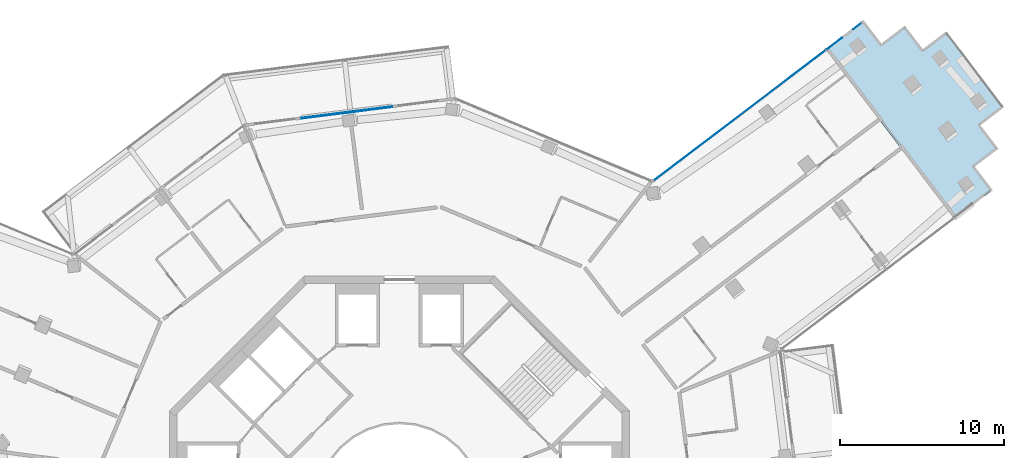
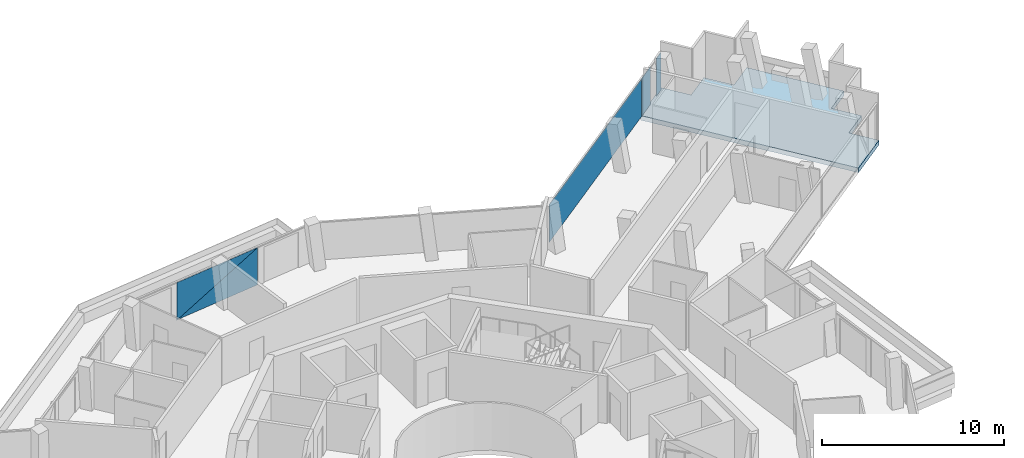
# One storey, part 17 of 26: 5 plates, 1 slab, 2 elements without a shape of their own.
"""IFC4 building model written with IfcOpenShell, lengths in metres."""

import ifcopenshell
import ifcopenshell.guid

model = None  # the IFC model being written
_history = None  # IfcOwnerHistory: only IFC2X3 demands one
_inside = {}  # id of a spatial element -> (the spatial element, [elements in it])
_under = {}  # id of a project, library or spatial element -> (it, [spatial elements below it])
_declared = {}  # id of a project -> (the project, [libraries it declares])
_typed = {}  # id of a type object -> (the type object, [elements of that type])
_made_of = {}  # id of a material, layer set ... -> (it, [elements and type objects made of it])


def new_model(schema):
    """Start an empty IFC model of exactly this schema.

    Asked for "IFC4X3", IfcOpenShell would pick the latest addendum, in which some entities
    have other attributes; the version numbers below select the first issue.
    IFC2X3 requires an IfcOwnerHistory on every rooted entity: one is made here for all.
    """
    global model, _history
    if schema == "IFC4X3":
        model = ifcopenshell.file(schema_version=(4, 3, 0, 0))
    else:
        model = ifcopenshell.file(schema=schema)
    _inside.clear()
    _under.clear()
    _declared.clear()
    _typed.clear()
    _made_of.clear()
    _history = None
    if model.schema == "IFC2X3":
        org = make("IfcOrganization", Name="unknown")
        user = make(
            "IfcPersonAndOrganization",
            ThePerson=make("IfcPerson", FamilyName="unknown"),
            TheOrganization=org,
        )
        app = make(
            "IfcApplication",
            ApplicationDeveloper=org,
            Version="unknown",
            ApplicationFullName="unknown",
            ApplicationIdentifier="unknown",
        )
        _history = make(
            "IfcOwnerHistory",
            OwningUser=user,
            OwningApplication=app,
            ChangeAction="ADDED",
            CreationDate=0,
        )
    return model


def make(cls, **values):
    """One entity of the class cls with the attributes given. An attribute that is None is left unset."""
    return model.create_entity(
        cls, **{name: value for name, value in values.items() if value is not None}
    )


def rooted(cls, **values):
    """An entity with a GlobalId (a new one), such as an element, a storey or a relation."""
    return make(cls, GlobalId=ifcopenshell.guid.new(), OwnerHistory=_history, **values)


def si_unit(unit_type, name, prefix=None):
    """IfcSIUnit, for example si_unit("LENGTHUNIT", "METRE", prefix="MILLI")."""
    return make("IfcSIUnit", UnitType=unit_type, Prefix=prefix, Name=name)


def assignment(units):
    """IfcUnitAssignment: the units of a project."""
    return None if units is None else make("IfcUnitAssignment", Units=units)


def point(xyz):
    """IfcCartesianPoint."""
    return None if xyz is None else make("IfcCartesianPoint", Coordinates=xyz)


def direction(xyz):
    """IfcDirection."""
    return None if xyz is None else make("IfcDirection", DirectionRatios=xyz)


def frame(location, z_axis=None, x_axis=None):
    """IfcAxis2Placement3D, a coordinate frame: its origin and axes. An axis left out is left unset."""
    return make(
        "IfcAxis2Placement3D",
        Location=point(location),
        Axis=direction(z_axis),
        RefDirection=direction(x_axis),
    )


def frame_2d(location, x_axis=None):
    """IfcAxis2Placement2D, a coordinate frame in the plane: its origin and x axis."""
    return make(
        "IfcAxis2Placement2D", Location=point(location), RefDirection=direction(x_axis)
    )


def origin():
    """The frame at (0, 0, 0) with its axes left unset."""
    return frame((0.0, 0.0, 0.0))


def origin_2d():
    """The frame at (0, 0) in the plane with its x axis left unset."""
    return frame_2d((0.0, 0.0))


def place(relative_to, where):
    """IfcLocalPlacement: puts the frame where relative to a parent placement (None: the world)."""
    return make(
        "IfcLocalPlacement", PlacementRelTo=relative_to, RelativePlacement=where
    )


def context(
    kind, dimensions, precision=None, world=None, true_north=None, identifier=None
):
    """IfcGeometricRepresentationContext, for example the 3D "Model" context."""
    return make(
        "IfcGeometricRepresentationContext",
        ContextIdentifier=identifier,
        ContextType=kind,
        CoordinateSpaceDimension=dimensions,
        Precision=precision,
        WorldCoordinateSystem=world,
        TrueNorth=true_north,
    )


def subcontext(parent, identifier, kind, view, scale=None):
    """IfcGeometricRepresentationSubContext, for example "Body" below "Model"."""
    return make(
        "IfcGeometricRepresentationSubContext",
        ContextIdentifier=identifier,
        ContextType=kind,
        ParentContext=parent,
        TargetScale=scale,
        TargetView=view,
    )


def project(units=None, contexts=None):
    """IfcProject with its units and contexts."""
    return rooted(
        "IfcProject",
        Name="project",
        RepresentationContexts=contexts,
        UnitsInContext=assignment(units),
    )


def spatial(cls, under=None, at=None, **own):
    """A site, building, storey or space (cls), placed at a placement, below another one or the project."""
    s = rooted(cls, ObjectPlacement=at, **own)
    if under is not None:
        _under.setdefault(under.id(), (under, []))[1].append(s)
    return s


def polyline(points):
    """IfcPolyline through the points."""
    return make("IfcPolyline", Points=[point(p) for p in points])


def profile(cls, at=None, kind="AREA", **sizes):
    """A parametric profile (cls). Its sizes go by their IFC names, for example OverallWidth=200.0."""
    return make(cls, ProfileType=kind, Position=at, **sizes)


def rectangle(**sizes):
    """IfcRectangleProfileDef."""
    return profile("IfcRectangleProfileDef", **sizes)


def outline(outer, holes=None, kind="AREA"):
    """IfcArbitraryClosedProfileDef: a profile drawn as a closed curve; with holes, ...WithVoids."""
    if holes is None:
        return make("IfcArbitraryClosedProfileDef", ProfileType=kind, OuterCurve=outer)
    return make(
        "IfcArbitraryProfileDefWithVoids",
        ProfileType=kind,
        OuterCurve=outer,
        InnerCurves=holes,
    )


def extrude(swept, where, along, depth):
    """IfcExtrudedAreaSolid: the profile swept, set in the frame where, extruded along a direction by depth."""
    return make(
        "IfcExtrudedAreaSolid",
        SweptArea=swept,
        Position=where,
        ExtrudedDirection=direction(along),
        Depth=depth,
    )


def shape(context_of_items, identifier, shape_type, items):
    """IfcShapeRepresentation: the items that make up one representation, for example the "Body"."""
    return make(
        "IfcShapeRepresentation",
        ContextOfItems=context_of_items,
        RepresentationIdentifier=identifier,
        RepresentationType=shape_type,
        Items=items,
    )


def material(Name=None, Category=None):
    """IfcMaterial."""
    return make("IfcMaterial", Name=Name, Category=Category)


def layer(
    of_material, thickness, ventilated=None, Name=None, Category=None, Priority=None
):
    """IfcMaterialLayer: one layer of a wall or slab, of a material (None: an air gap)."""
    return make(
        "IfcMaterialLayer",
        Material=of_material,
        LayerThickness=thickness,
        IsVentilated=ventilated,
        Name=Name,
        Category=Category,
        Priority=Priority,
    )


def layer_set(layers, Name=None):
    """IfcMaterialLayerSet."""
    return make("IfcMaterialLayerSet", MaterialLayers=layers, LayerSetName=Name)


def made_of(thing, what):
    """Note that an element or type object is made of a material, layer set ...; save() writes the relation."""
    if what is not None:
        _made_of.setdefault(what.id(), (what, []))[1].append(thing)
    return thing


def type_object(cls, material=None, **own):
    """A type object (cls), such as IfcWallType, which elements share."""
    return made_of(rooted(cls, **own), material)


def element(
    cls,
    number,
    at=None,
    inside=None,
    cuts=None,
    type_object=None,
    material=None,
    context=None,
    identifier="Body",
    shape_type=None,
    held_by="IfcProductDefinitionShape",
    body=None,
    shapes=None,
    **own,
):
    """One element of the class cls, such as IfcWall. Its Tag is "e" and its number.

    at: its placement. inside: the storey or other place that contains it. cuts: it is an
    opening in that element (IfcRelVoidsElement). A single representation is given by context,
    identifier, shape_type and body (its items); several are given by shapes. held_by: the class
    of the entity that holds the representations. save() writes the other relations.
    """
    e = rooted(cls, Tag="e%d" % number, ObjectPlacement=at, **own)
    if body is not None:
        shapes = [shape(context, identifier, shape_type, body)]
    if shapes is not None:
        e.Representation = make(held_by, Representations=shapes)
    if inside is not None:
        _inside.setdefault(inside.id(), (inside, []))[1].append(e)
    if cuts is not None:
        rooted(
            "IfcRelVoidsElement", RelatingBuildingElement=cuts, RelatedOpeningElement=e
        )
    if type_object is not None:
        _typed.setdefault(type_object.id(), (type_object, []))[1].append(e)
    return made_of(e, material)


def aggregate(whole, parts):
    """IfcRelAggregates: a whole, such as a stair, and the parts it consists of."""
    return rooted("IfcRelAggregates", RelatingObject=whole, RelatedObjects=parts)


def save(model, path):
    """Write the relations noted so far, then the file.

    IfcRelAggregates (storeys below a building ...), IfcRelContainedInSpatialStructure (elements
    in a storey), IfcRelDefinesByType, IfcRelAssociatesMaterial and IfcRelDeclares: one each for
    every whole, place, type object, material and project.
    """
    for whole, parts in _under.values():
        aggregate(whole, parts)
    for where, things in _inside.values():
        rooted(
            "IfcRelContainedInSpatialStructure",
            RelatedElements=things,
            RelatingStructure=where,
        )
    for kind, things in _typed.values():
        rooted("IfcRelDefinesByType", RelatedObjects=things, RelatingType=kind)
    for what, things in _made_of.values():
        rooted("IfcRelAssociatesMaterial", RelatedObjects=things, RelatingMaterial=what)
    for by, libraries in _declared.values():
        rooted("IfcRelDeclares", RelatingContext=by, RelatedDefinitions=libraries)
    model.write(path)


model = new_model("IFC4")

# Units and contexts
model_context = context("Model", 3, precision=1e-05, world=origin(), true_north=direction((0.0, 1.0)))
body_context = subcontext(model_context, "Body", "Model", "MODEL_VIEW")
ifc_project = project(units=[si_unit("LENGTHUNIT", "METRE"), si_unit("AREAUNIT", "SQUARE_METRE"), si_unit("VOLUMEUNIT", "CUBIC_METRE"), si_unit("PLANEANGLEUNIT", "RADIAN"), si_unit("MASSUNIT", "GRAM", prefix="KILO")], contexts=[model_context])

# Site, building, storey
site_placement = place(None, origin())
site = spatial("IfcSite", under=ifc_project, at=site_placement, CompositionType="ELEMENT")
building_placement = place(site_placement, origin())
building = spatial("IfcBuilding", under=site, at=building_placement, Name="Verdalira Terraces Hotel", CompositionType="ELEMENT")
storey_placement = place(building_placement, frame((0.0, 0.0, 306.5)))
storey = spatial("IfcBuildingStorey", under=building, at=storey_placement, Name="L76", CompositionType="ELEMENT", Elevation=306.5)

# Curtain wall, plates
ifc_material_1 = material(Name="Clear glass", Category="glass")
ifc_layer_1 = layer(ifc_material_1, 0.14990234375)
ifc_layer_set_1 = layer_set([ifc_layer_1], Name="CW1 curtain wall")
curtain_wall_type_1 = type_object("IfcCurtainWallType", Name="CW1 curtain wall", PredefinedType="NOTDEFINED", material=ifc_layer_set_1)
curtain_wall_1_placement = place(storey_placement, origin())
curtain_wall_1 = element("IfcCurtainWall", 1, at=curtain_wall_1_placement, inside=storey, type_object=curtain_wall_type_1, Name="CW1 curtain wall L76 edge 40", PredefinedType="NOTDEFINED")
ifc_material_2 = material(Name="Clear glass", Category="glass")
ifc_layer_2 = layer(ifc_material_2, 0.028076171875)
ifc_layer_set_2 = layer_set([ifc_layer_2], Name="CW1 glass unit 28")
plate_type_1 = type_object("IfcPlateType", Name="CW1 glass unit 28", PredefinedType="CURTAIN_PANEL", material=ifc_layer_set_2)
plate_1_placement = place(storey_placement, frame((-3.207764, 23.956055, 1.262451), z_axis=(-0.125333234, 0.992114701, 0.0), x_axis=(-0.992114701, -0.125333234, 0.0)))
plate_1 = element("IfcPlate", 2, at=plate_1_placement, type_object=plate_type_1, Name="CW1 glass unit", PredefinedType="CURTAIN_PANEL", context=body_context, shape_type="SweptSolid", body=[
    extrude(outline(polyline([(-2.792969, -1.262451), (2.792969, -1.262451), (-2.792969, 1.262451), (-2.792969, -1.262451)])), origin(), (0.0, 0.0, 1.0), 0.028076),
])
plate_2_placement = place(storey_placement, frame((-3.204102, 23.927246, 1.262451), z_axis=(-0.125333234, 0.992114701, 0.0), x_axis=(-0.992114701, -0.125333234, 0.0)))
plate_2 = element("IfcPlate", 3, at=plate_2_placement, type_object=plate_type_1, Name="CW1 glass unit", PredefinedType="CURTAIN_PANEL", context=body_context, shape_type="SweptSolid", body=[
    extrude(outline(polyline([(2.792969, -1.262451), (2.792969, 1.262451), (-2.792969, 1.262451), (2.792969, -1.262451)])), origin(), (0.0, 0.0, 1.0), 0.028076),
])
aggregate(curtain_wall_1, [plate_1, plate_2])

ifc_material_3 = material(Name="Clear glass", Category="glass")
ifc_layer_3 = layer(ifc_material_3, 0.14990234375)
ifc_layer_set_3 = layer_set([ifc_layer_3], Name="CW2 curtain wall")
curtain_wall_type_2 = type_object("IfcCurtainWallType", Name="CW2 curtain wall", PredefinedType="NOTDEFINED", material=ifc_layer_set_3)
curtain_wall_2_placement = place(storey_placement, origin())
curtain_wall_2 = element("IfcCurtainWall", 4, at=curtain_wall_2_placement, inside=storey, type_object=curtain_wall_type_2, Name="CW2 curtain wall L76 edge 38", PredefinedType="NOTDEFINED")
ifc_material_4 = material(Name="Clear glass", Category="glass")
ifc_layer_4 = layer(ifc_material_4, 0.031982421875)
ifc_layer_set_4 = layer_set([ifc_layer_4], Name="CW2 glass unit 32")
plate_type_2 = type_object("IfcPlateType", Name="CW2 glass unit 32", PredefinedType="CURTAIN_PANEL", material=ifc_layer_set_4)
plate_3_placement = place(storey_placement, frame((27.85791, 29.211426, 0.0), z_axis=(0.0, 0.0, 1.0), x_axis=(-0.796529918, -0.604599115, 0.0)))
plate_3 = element("IfcPlate", 5, at=plate_3_placement, type_object=plate_type_2, Name="CW2 glass unit", PredefinedType="CURTAIN_PANEL", context=body_context, shape_type="SweptSolid", body=[
    extrude(rectangle(XDim=0.610107, YDim=0.031982, at=origin_2d()), origin(), (0.0, 0.0, 1.0), 2.524902),
])
plate_4_placement = place(storey_placement, frame((26.452637, 28.144775, 0.0), z_axis=(0.0, 0.0, 1.0), x_axis=(-0.796529918, -0.604599115, 0.0)))
plate_4 = element("IfcPlate", 6, at=plate_4_placement, type_object=plate_type_2, Name="CW2 glass unit", PredefinedType="CURTAIN_PANEL", context=body_context, shape_type="SweptSolid", body=[
    extrude(rectangle(XDim=1.19165, YDim=0.031982, at=origin_2d()), origin(), (0.0, 0.0, 1.0), 2.524902),
])
plate_5_placement = place(storey_placement, frame((20.708008, 23.784424, 0.0), z_axis=(0.0, 0.0, 1.0), x_axis=(-0.796529918, -0.604599115, 0.0)))
plate_5 = element("IfcPlate", 7, at=plate_5_placement, type_object=plate_type_2, Name="CW2 glass unit", PredefinedType="CURTAIN_PANEL", context=body_context, shape_type="SweptSolid", body=[
    extrude(rectangle(XDim=13.092529, YDim=0.031982, at=origin_2d()), origin(), (0.0, 0.0, 1.0), 2.524902),
])
aggregate(curtain_wall_2, [plate_3, plate_4, plate_5])

# Slab
ifc_material_5 = material(Name="Concrete C40", Category="concrete")
ifc_layer_5 = layer(ifc_material_5, 0.31005859375)
ifc_layer_set_5 = layer_set([ifc_layer_5], Name="Loggia floor deck 310 C40")
slab_type = type_object("IfcSlabType", Name="Loggia floor deck 310 C40", PredefinedType="FLOOR", material=ifc_layer_set_5)
slab_placement = place(storey_placement, frame((0.0, 0.0, -0.310059)))
element("IfcSlab", 8, at=slab_placement, inside=storey, type_object=slab_type, Name="Loggia deck L76", PredefinedType="FLOOR", context=body_context, shape_type="SweptSolid", body=[
    extrude(outline(polyline([(28.230713, 29.588623), (25.920654, 27.835205), (33.780518, 17.480469), (36.090576, 19.233887), (35.002197, 20.66748), (36.435791, 21.755859), (35.347656, 23.189453), (36.781494, 24.277832), (33.274658, 28.897705), (31.841064, 27.809326), (30.752686, 29.243164), (29.319092, 28.154785), (28.230713, 29.588623)])), origin(), (0.0, 0.0, 1.0), 0.310059),
])

save(model, "model.ifc")
